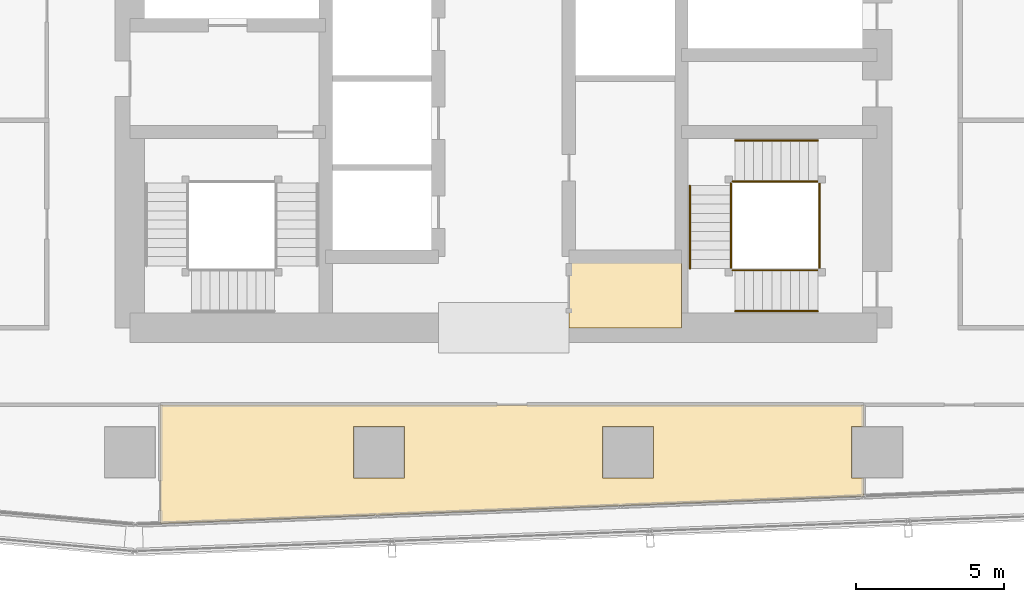
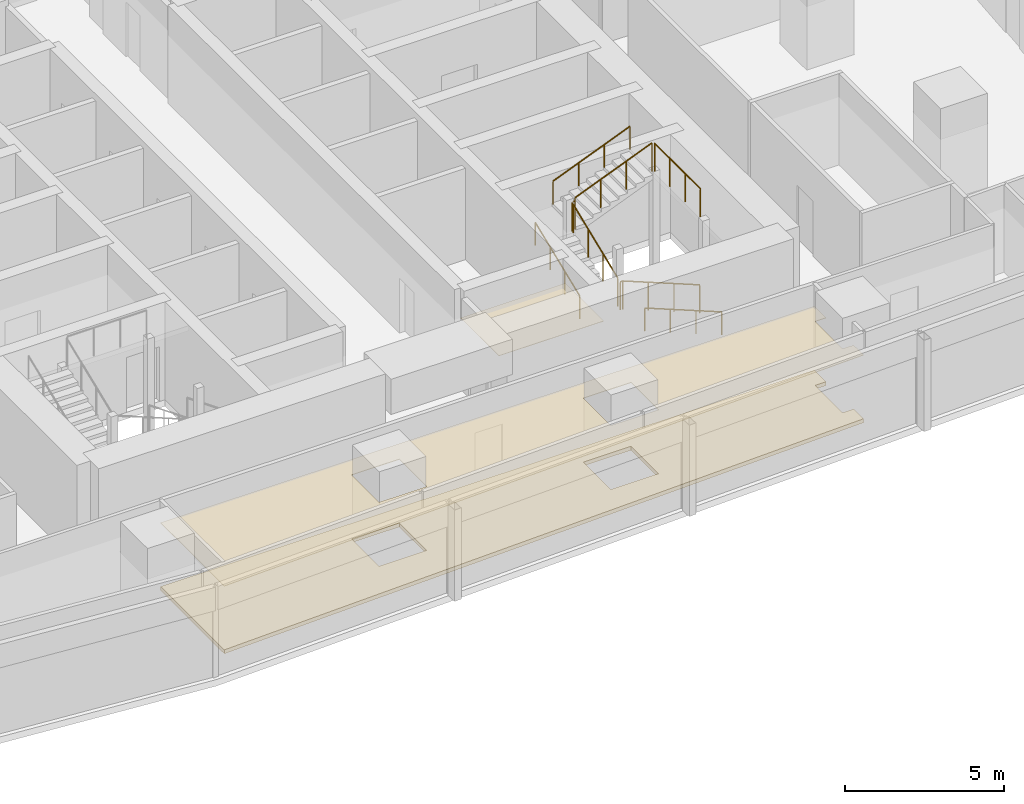
# One storey, part 37 of 40: 10 railings, 3 coverings.
"""IFC4 building model written with IfcOpenShell, lengths in metres."""

from ifc_helpers import new_model, si_unit, direction, frame, origin, origin_2d, place, context, subcontext, project, spatial, polyline, circle, outline, extrude, material, layer, layer_set, type_object, element, save


model = new_model("IFC4")

# Units and contexts
model_context = context("Model", 3, precision=1e-05, world=origin(), true_north=direction((0.0, 1.0)))
body_context = subcontext(model_context, "Body", "Model", "MODEL_VIEW")
ifc_project = project(units=[si_unit("LENGTHUNIT", "METRE"), si_unit("AREAUNIT", "SQUARE_METRE"), si_unit("VOLUMEUNIT", "CUBIC_METRE"), si_unit("PLANEANGLEUNIT", "RADIAN"), si_unit("MASSUNIT", "GRAM", prefix="KILO")], contexts=[model_context])

# Site, building, storey
site_placement = place(None, origin())
site = spatial("IfcSite", under=ifc_project, at=site_placement, CompositionType="ELEMENT")
building_placement = place(site_placement, origin())
building = spatial("IfcBuilding", under=site, at=building_placement, Name="Rekha Terrace Tower", CompositionType="ELEMENT")
storey_placement = place(building_placement, frame((0.0, 0.0, 102.800048828125)))
storey = spatial("IfcBuildingStorey", under=building, at=storey_placement, Name="L25", CompositionType="ELEMENT", Elevation=102.800048828125)

# Coverings
ifc_material_1 = material(Name="Mineral fibre tile in exposed grid", Category="finish")
ifc_layer_1 = layer(ifc_material_1, 0.02001953125)
ifc_layer_set_1 = layer_set([ifc_layer_1], Name="Mineral fibre tile in exposed grid")
covering_type_1 = type_object("IfcCoveringType", Name="CL1 600x1200 office grid ceiling", PredefinedType="CEILING", material=ifc_layer_set_1)
covering_1_placement = place(storey_placement, frame((0.0, 0.0, 2.579833984375)))
element("IfcCovering", 1, at=covering_1_placement, inside=storey, type_object=covering_type_1, Name="Ceiling L25-O3", PredefinedType="CEILING", context=body_context, shape_type="SweptSolid", body=[
    extrude(outline(polyline([(49.93603515625, 18.39990234375), (26.23388671875, 18.39990234375), (26.23388671875, 14.39697265625), (49.93603515625, 15.319091796875), (49.93603515625, 15.93505859375), (49.534912109375, 15.93505859375), (49.534912109375, 17.6650390625), (49.93603515625, 17.6650390625), (49.93603515625, 18.39990234375)]), holes=[polyline([(42.864990234375, 17.6650390625), (42.864990234375, 15.93505859375), (41.135009765625, 15.93505859375), (41.135009765625, 17.6650390625), (42.864990234375, 17.6650390625)]), polyline([(34.465087890625, 15.93505859375), (32.735107421875, 15.93505859375), (32.735107421875, 17.6650390625), (34.465087890625, 17.6650390625), (34.465087890625, 15.93505859375)])]), origin(), (0.0, 0.0, 1.0), 0.02001953125),
])
ifc_material_2 = material(Name="Fibre cement board", Category="finish")
ifc_layer_2 = layer(ifc_material_2, 0.014892578125)
ifc_layer_set_2 = layer_set([ifc_layer_2], Name="Fibre cement board")
covering_type_2 = type_object("IfcCoveringType", Name="CL2 moisture-resistant board ceiling", PredefinedType="CEILING", material=ifc_layer_set_2)
covering_2_placement = place(storey_placement, frame((0.0, 0.0, 2.5849609375)))
element("IfcCovering", 2, at=covering_2_placement, inside=storey, type_object=covering_type_2, Name="Ceiling L25-WCA", PredefinedType="CEILING", context=body_context, shape_type="SweptSolid", body=[
    extrude(outline(polyline([(43.800048828125, 23.39990234375), (40.0, 23.39990234375), (40.0, 21.0), (43.800048828125, 21.0), (43.800048828125, 23.39990234375)])), origin(), (0.0, 0.0, 1.0), 0.014892578125),
])

# Railings
ifc_material_3 = material(Name="Stainless steel balustrade", Category="steel")
railing_type_1 = type_object("IfcRailingType", Name="GR1 1100 stair guard", PredefinedType="GUARDRAIL", material=ifc_material_3)
railing_1_placement = place(storey_placement, frame((48.39990234375, 22.93994140625, 0.125)))
element("IfcRailing", 3, at=railing_1_placement, inside=storey, type_object=railing_type_1, Name="Guard ST3 L25 flight 1", PredefinedType="GUARDRAIL", context=body_context, shape_type="SweptSolid", body=[
    extrude(circle(Radius=0.02392578125, at=origin_2d()), frame((0.0, 0.0, 1.076171875), z_axis=(-0.927431937212, 0.0, 0.373991980981), x_axis=(0.0, -1.0, 0.0)), (0.0, 0.0, 1.0), 3.008056640625),
    extrude(circle(Radius=0.02099609375, at=origin_2d()), origin(), (0.0, 0.0, 1.0), 1.052001953125),
    extrude(circle(Radius=0.02099609375, at=origin_2d()), frame((-0.929931640625, 0.0, 0.375)), (0.0, 0.0, 1.0), 1.052001953125),
    extrude(circle(Radius=0.02099609375, at=origin_2d()), frame((-1.85986328125, 0.0, 0.75)), (0.0, 0.0, 1.0), 1.052001953125),
    extrude(circle(Radius=0.02099609375, at=origin_2d()), frame((-2.789794921875, 0.0, 1.125)), (0.0, 0.0, 1.0), 1.052001953125),
])
railing_2_placement = place(storey_placement, frame((45.465087890625, 23.0, 1.375)))
element("IfcRailing", 4, at=railing_2_placement, inside=storey, type_object=railing_type_1, Name="Guard ST3 L25 flight 2", PredefinedType="GUARDRAIL", context=body_context, shape_type="SweptSolid", body=[
    extrude(circle(Radius=0.02392578125, at=origin_2d()), frame((0.0, 0.0, 1.076171875), z_axis=(0.0, 0.927443287984, 0.373963831907), x_axis=(-1.0, 0.0, 0.0)), (0.0, 0.0, 1.0), 3.00830078125),
    extrude(circle(Radius=0.02099609375, at=origin_2d()), origin(), (0.0, 0.0, 1.0), 1.052001953125),
    extrude(circle(Radius=0.02099609375, at=origin_2d()), frame((0.0, 0.929931640625, 0.375)), (0.0, 0.0, 1.0), 1.052001953125),
    extrude(circle(Radius=0.02099609375, at=origin_2d()), frame((0.0, 1.860107421875, 0.75)), (0.0, 0.0, 1.0), 1.052001953125),
    extrude(circle(Radius=0.02099609375, at=origin_2d()), frame((0.0, 2.7900390625, 1.125)), (0.0, 0.0, 1.0), 1.052001953125),
])
railing_3_placement = place(storey_placement, frame((45.610107421875, 25.93505859375, 2.625)))
element("IfcRailing", 5, at=railing_3_placement, inside=storey, type_object=railing_type_1, Name="Guard ST3 L25 flight 3", PredefinedType="GUARDRAIL", context=body_context, shape_type="SweptSolid", body=[
    extrude(circle(Radius=0.02392578125, at=origin_2d()), frame((0.0, 0.0, 1.076171875), z_axis=(0.927431937212, 0.0, 0.373991980981), x_axis=(0.0, 1.0, 0.0)), (0.0, 0.0, 1.0), 3.008056640625),
    extrude(circle(Radius=0.02099609375, at=origin_2d()), origin(), (0.0, 0.0, 1.0), 1.052001953125),
    extrude(circle(Radius=0.02099609375, at=origin_2d()), frame((0.929931640625, 0.0, 0.375)), (0.0, 0.0, 1.0), 1.052001953125),
    extrude(circle(Radius=0.02099609375, at=origin_2d()), frame((1.85986328125, 0.0, 0.75)), (0.0, 0.0, 1.0), 1.052001953125),
    extrude(circle(Radius=0.02099609375, at=origin_2d()), frame((2.789794921875, 0.0, 1.125)), (0.0, 0.0, 1.0), 1.052001953125),
])
railing_4_placement = place(storey_placement, frame((45.610107421875, 22.93994140625, 1.25)))
element("IfcRailing", 6, at=railing_4_placement, inside=storey, type_object=railing_type_1, Name="Guard ST3 L25 landing 1", PredefinedType="GUARDRAIL", context=body_context, shape_type="SweptSolid", body=[
    extrude(circle(Radius=0.02392578125, at=origin_2d()), frame((0.0, 0.0, 1.076171875), z_axis=(-1.0, 0.0, 0.0), x_axis=(0.0, -1.0, 0.0)), (0.0, 0.0, 1.0), 0.085205078125),
    extrude(circle(Radius=0.02099609375, at=origin_2d()), origin(), (0.0, 0.0, 1.0), 1.052001953125),
    extrude(circle(Radius=0.02099609375, at=origin_2d()), frame((-0.085205078125, 0.0, 0.0)), (0.0, 0.0, 1.0), 1.052001953125),
])
railing_5_placement = place(storey_placement, frame((45.465087890625, 25.7900390625, 2.5)))
element("IfcRailing", 7, at=railing_5_placement, inside=storey, type_object=railing_type_1, Name="Guard ST3 L25 landing 2", PredefinedType="GUARDRAIL", context=body_context, shape_type="SweptSolid", body=[
    extrude(circle(Radius=0.02392578125, at=origin_2d()), frame((0.0, 0.0, 1.076171875), z_axis=(0.0, 1.0, 0.0), x_axis=(-1.0, 0.0, 0.0)), (0.0, 0.0, 1.0), 0.0849609375),
    extrude(circle(Radius=0.02099609375, at=origin_2d()), origin(), (0.0, 0.0, 1.0), 1.052001953125),
    extrude(circle(Radius=0.02099609375, at=origin_2d()), frame((0.0, 0.0849609375, 0.0)), (0.0, 0.0, 1.0), 1.052001953125),
])
railing_6_placement = place(storey_placement, frame((45.610107421875, 25.93505859375, 2.5)))
element("IfcRailing", 8, at=railing_6_placement, inside=storey, type_object=railing_type_1, Name="Guard ST3 L25 landing 3", PredefinedType="GUARDRAIL", context=body_context, shape_type="SweptSolid", body=[
    extrude(circle(Radius=0.02392578125, at=origin_2d()), frame((0.0, 0.0, 1.076171875), z_axis=(-1.0, 0.0, 0.0), x_axis=(0.0, -1.0, 0.0)), (0.0, 0.0, 1.0), 0.085205078125),
    extrude(circle(Radius=0.02099609375, at=origin_2d()), origin(), (0.0, 0.0, 1.0), 1.052001953125),
    extrude(circle(Radius=0.02099609375, at=origin_2d()), frame((-0.085205078125, 0.0, 0.0)), (0.0, 0.0, 1.0), 1.052001953125),
])
railing_7_placement = place(storey_placement, frame((48.4599609375, 23.0, 3.75)))
element("IfcRailing", 9, at=railing_7_placement, inside=storey, type_object=railing_type_1, Name="Guard ST3 L25 landing 4", PredefinedType="GUARDRAIL", context=body_context, shape_type="SweptSolid", body=[
    extrude(circle(Radius=0.02392578125, at=origin_2d()), frame((0.0, 0.0, 1.076171875), z_axis=(0.0, 1.0, 0.0), x_axis=(-1.0, 0.0, 0.0)), (0.0, 0.0, 1.0), 2.875),
    extrude(circle(Radius=0.02099609375, at=origin_2d()), origin(), (0.0, 0.0, 1.0), 1.052001953125),
    extrude(circle(Radius=0.02099609375, at=origin_2d()), frame((0.0, 0.958251953125, 0.0)), (0.0, 0.0, 1.0), 1.052001953125),
    extrude(circle(Radius=0.02099609375, at=origin_2d()), frame((0.0, 1.916748046875, 0.0)), (0.0, 0.0, 1.0), 1.052001953125),
    extrude(circle(Radius=0.02099609375, at=origin_2d()), frame((0.0, 2.875, 0.0)), (0.0, 0.0, 1.0), 1.052001953125),
])
ifc_material_4 = material(Name="Stainless steel tube", Category="steel")
railing_type_2 = type_object("IfcRailingType", Name="HR1 900 stair handrail", PredefinedType="HANDRAIL", material=ifc_material_4)
railing_8_placement = place(storey_placement, frame((48.39990234375, 21.56005859375, 0.125)))
element("IfcRailing", 10, at=railing_8_placement, inside=storey, type_object=railing_type_2, Name="Handrail ST3 L25 flight 1", PredefinedType="HANDRAIL", context=body_context, shape_type="SweptSolid", body=[
    extrude(circle(Radius=0.02392578125, at=origin_2d()), frame((0.0, 0.0, 0.8759765625), z_axis=(-0.927431937212, 0.0, 0.373991980981), x_axis=(0.0, -1.0, 0.0)), (0.0, 0.0, 1.0), 3.008056640625),
    extrude(circle(Radius=0.02099609375, at=origin_2d()), origin(), (0.0, 0.0, 1.0), 0.851806640625),
    extrude(circle(Radius=0.02099609375, at=origin_2d()), frame((-0.929931640625, 0.0, 0.375)), (0.0, 0.0, 1.0), 0.851806640625),
    extrude(circle(Radius=0.02099609375, at=origin_2d()), frame((-1.85986328125, 0.0, 0.75)), (0.0, 0.0, 1.0), 0.851806640625),
    extrude(circle(Radius=0.02099609375, at=origin_2d()), frame((-2.789794921875, 0.0, 1.125)), (0.0, 0.0, 1.0), 0.851806640625),
])
railing_9_placement = place(storey_placement, frame((44.0849609375, 23.0, 1.375)))
element("IfcRailing", 11, at=railing_9_placement, inside=storey, type_object=railing_type_2, Name="Handrail ST3 L25 flight 2", PredefinedType="HANDRAIL", context=body_context, shape_type="SweptSolid", body=[
    extrude(circle(Radius=0.02392578125, at=origin_2d()), frame((0.0, 0.0, 0.8759765625), z_axis=(0.0, 0.927443287984, 0.373963831907), x_axis=(-1.0, 0.0, 0.0)), (0.0, 0.0, 1.0), 3.00830078125),
    extrude(circle(Radius=0.02099609375, at=origin_2d()), origin(), (0.0, 0.0, 1.0), 0.851806640625),
    extrude(circle(Radius=0.02099609375, at=origin_2d()), frame((0.0, 0.929931640625, 0.375)), (0.0, 0.0, 1.0), 0.851806640625),
    extrude(circle(Radius=0.02099609375, at=origin_2d()), frame((0.0, 1.860107421875, 0.75)), (0.0, 0.0, 1.0), 0.851806640625),
    extrude(circle(Radius=0.02099609375, at=origin_2d()), frame((0.0, 2.7900390625, 1.125)), (0.0, 0.0, 1.0), 0.851806640625),
])
railing_10_placement = place(storey_placement, frame((45.610107421875, 27.31494140625, 2.625)))
element("IfcRailing", 12, at=railing_10_placement, inside=storey, type_object=railing_type_2, Name="Handrail ST3 L25 flight 3", PredefinedType="HANDRAIL", context=body_context, shape_type="SweptSolid", body=[
    extrude(circle(Radius=0.02392578125, at=origin_2d()), frame((0.0, 0.0, 0.8759765625), z_axis=(0.927431937212, 0.0, 0.373991980981), x_axis=(0.0, 1.0, 0.0)), (0.0, 0.0, 1.0), 3.008056640625),
    extrude(circle(Radius=0.02099609375, at=origin_2d()), origin(), (0.0, 0.0, 1.0), 0.851806640625),
    extrude(circle(Radius=0.02099609375, at=origin_2d()), frame((0.929931640625, 0.0, 0.375)), (0.0, 0.0, 1.0), 0.851806640625),
    extrude(circle(Radius=0.02099609375, at=origin_2d()), frame((1.85986328125, 0.0, 0.75)), (0.0, 0.0, 1.0), 0.851806640625),
    extrude(circle(Radius=0.02099609375, at=origin_2d()), frame((2.789794921875, 0.0, 1.125)), (0.0, 0.0, 1.0), 0.851806640625),
])

# Covering
ifc_material_5 = material(Name="Calcium sulphate panels on steel pedestals", Category="steel")
ifc_layer_3 = layer(ifc_material_5, 0.14990234375)
ifc_layer_set_3 = layer_set([ifc_layer_3], Name="Calcium sulphate panels on steel pedestals")
covering_type_3 = type_object("IfcCoveringType", Name="RF1 150 raised access floor", PredefinedType="FLOORING", material=ifc_layer_set_3)
covering_3_placement = place(storey_placement, origin())
element("IfcCovering", 13, at=covering_3_placement, inside=storey, type_object=covering_type_3, Name="Raised floor L25-O3", PredefinedType="FLOORING", context=body_context, shape_type="SweptSolid", body=[
    extrude(outline(polyline([(49.93603515625, 18.39990234375), (26.23388671875, 18.39990234375), (26.23388671875, 14.39697265625), (49.93603515625, 15.319091796875), (49.93603515625, 15.93505859375), (49.534912109375, 15.93505859375), (49.534912109375, 17.6650390625), (49.93603515625, 17.6650390625), (49.93603515625, 18.39990234375)]), holes=[polyline([(42.864990234375, 17.6650390625), (42.864990234375, 15.93505859375), (41.135009765625, 15.93505859375), (41.135009765625, 17.6650390625), (42.864990234375, 17.6650390625)]), polyline([(34.465087890625, 15.93505859375), (32.735107421875, 15.93505859375), (32.735107421875, 17.6650390625), (34.465087890625, 17.6650390625), (34.465087890625, 15.93505859375)])]), origin(), (0.0, 0.0, 1.0), 0.14990234375),
])

save(model, "model.ifc")
